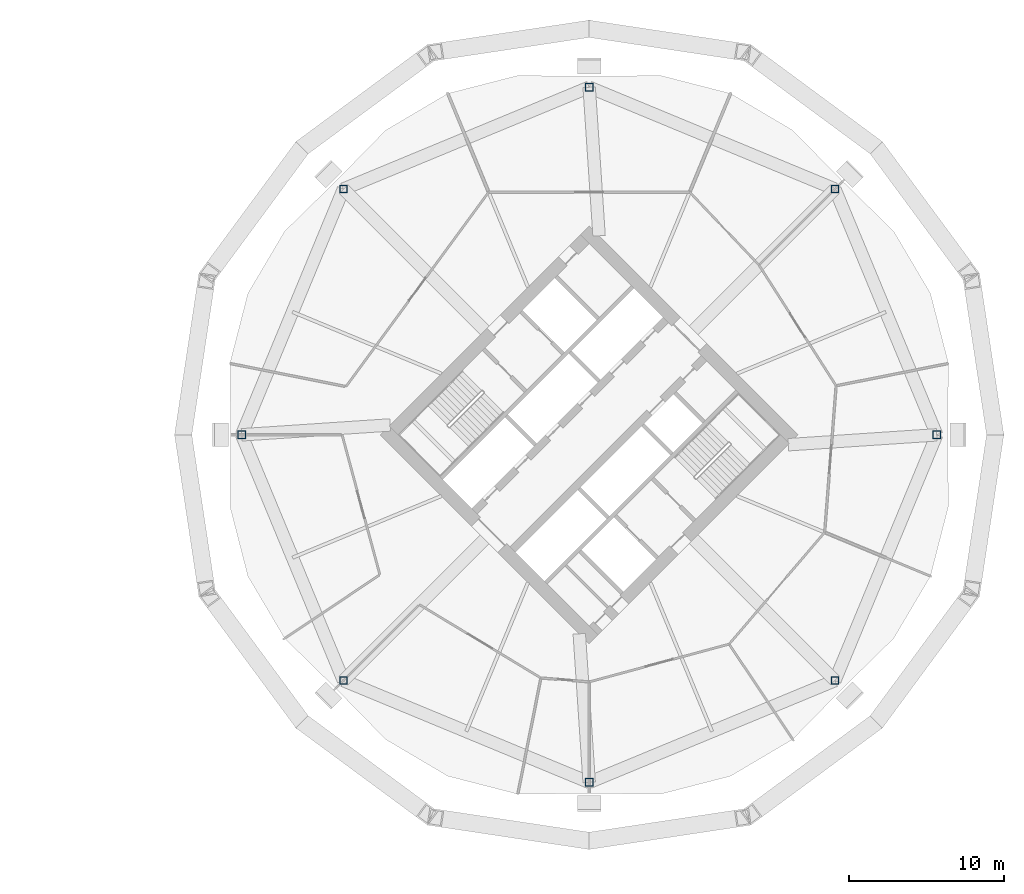
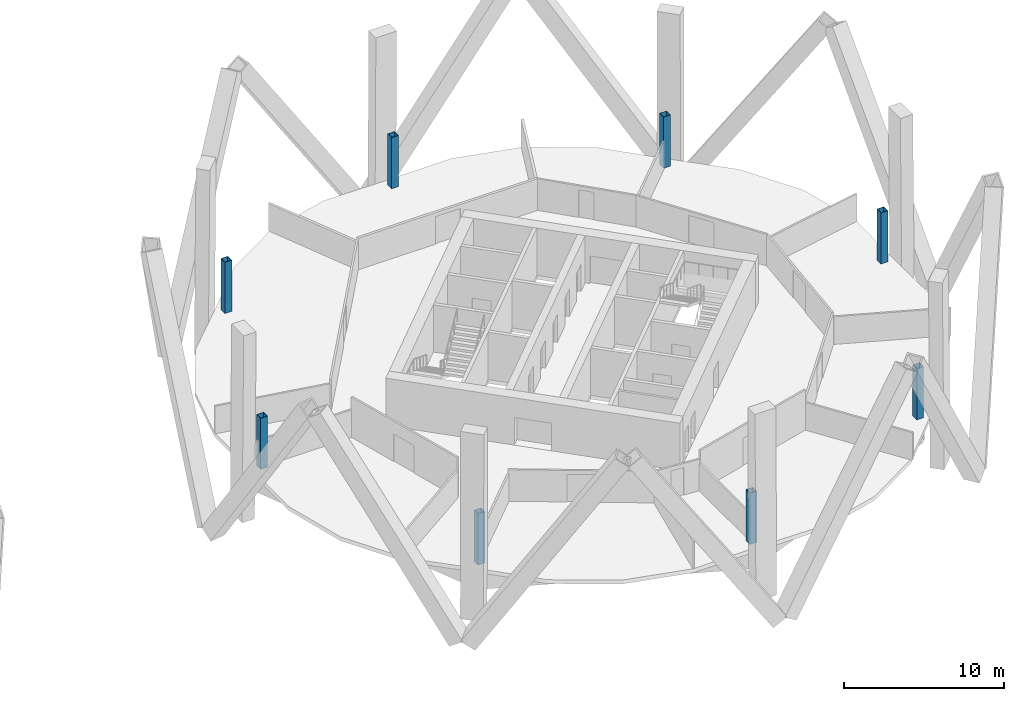
# One storey, part 2 of 10: 8 columns.
"""IFC4 building model written with IfcOpenShell, lengths in metres."""

from ifc_helpers import new_model, si_unit, direction, frame, origin, origin_2d, place, context, subcontext, project, spatial, hollow_rectangle, extrude, material, material_profile, profile_set, type_object, element, save


model = new_model("IFC4")

# Units and contexts
model_context = context("Model", 3, precision=1e-05, world=origin(), true_north=direction((0.0, 1.0)))
body_context = subcontext(model_context, "Body", "Model", "MODEL_VIEW")
ifc_project = project(units=[si_unit("LENGTHUNIT", "METRE"), si_unit("AREAUNIT", "SQUARE_METRE"), si_unit("VOLUMEUNIT", "CUBIC_METRE"), si_unit("PLANEANGLEUNIT", "RADIAN"), si_unit("MASSUNIT", "GRAM", prefix="KILO")], contexts=[model_context])

# Site, building, storey
site_placement = place(None, origin())
site = spatial("IfcSite", under=ifc_project, at=site_placement, CompositionType="ELEMENT")
building_placement = place(site_placement, origin())
building = spatial("IfcBuilding", under=site, at=building_placement, Name="Ogive Gate Towers", CompositionType="ELEMENT")
storey_placement = place(building_placement, frame((0.0, 0.0, 119.10009765625)))
storey = spatial("IfcBuildingStorey", under=building, at=storey_placement, Name="L28", CompositionType="ELEMENT", Elevation=119.10009765625)

# Columns
ifc_material = material(Name="Steel SM460", Category="steel")
ifc_material_profile = material_profile(ifc_material, hollow_rectangle(XDim=0.5, YDim=0.5, WallThickness=0.030029296875, at=origin_2d()), Name="BX 500x500x30")
ifc_profile_set = profile_set([ifc_material_profile], Name="Steel SM460")
column_type = type_object("IfcColumnType", Name="Perimeter post BX 500x500x30", PredefinedType="COLUMN", material=ifc_profile_set)
for number, where, z_axis, x_axis, name in (
    (1, (58.35009765625, 0.0, 0.0), (0.0, 0.0, 1.0), (1.0, 0.0, 0.0), "T2/L28/SCL001"),
    (2, (51.803955078125, 15.803955078125, 0.0), (0.0, 0.0, 1.0), (1.0, 0.0, 0.0), "T2/L28/SCL002"),
    (3, (36.0, 22.35009765625, 0.0), (0.0, 0.0, 1.0), (1.0, 0.0, 0.0), "T2/L28/SCL003"),
    (4, (20.196044921875, 15.803955078125, 0.0), (0.0, 0.0, 1.0), (1.0, 0.0, 0.0), "T2/L28/SCL004"),
    (5, (13.64990234375, 0.0, 0.0), (0.0, 0.0, 1.0), (1.0, 0.0, 0.0), "T2/L28/SCL005"),
    (6, (20.196044921875, -15.803955078125, 0.0), (0.0, 0.0, 1.0), (1.0, 0.0, 0.0), "T2/L28/SCL006"),
    (7, (36.0, -22.35009765625, 0.0), (0.0, 0.0, 1.0), (1.0, 0.0, 0.0), "T2/L28/SCL007"),
    (8, (51.803955078125, -15.803955078125, 0.0), (0.0, 0.0, 1.0), (1.0, 0.0, 0.0), "T2/L28/SCL008"),
):
    element("IfcColumn", number, at=place(storey_placement, frame(where, z_axis=z_axis, x_axis=x_axis)), inside=storey, type_object=column_type, Name=name, PredefinedType="COLUMN", context=body_context, shape_type="SweptSolid", body=[
        extrude(hollow_rectangle(XDim=0.5, YDim=0.5, WallThickness=0.030029296875, at=origin_2d()), origin(), (0.0, 0.0, 1.0), 3.89990234375),
    ])

save(model, "model.ifc")
